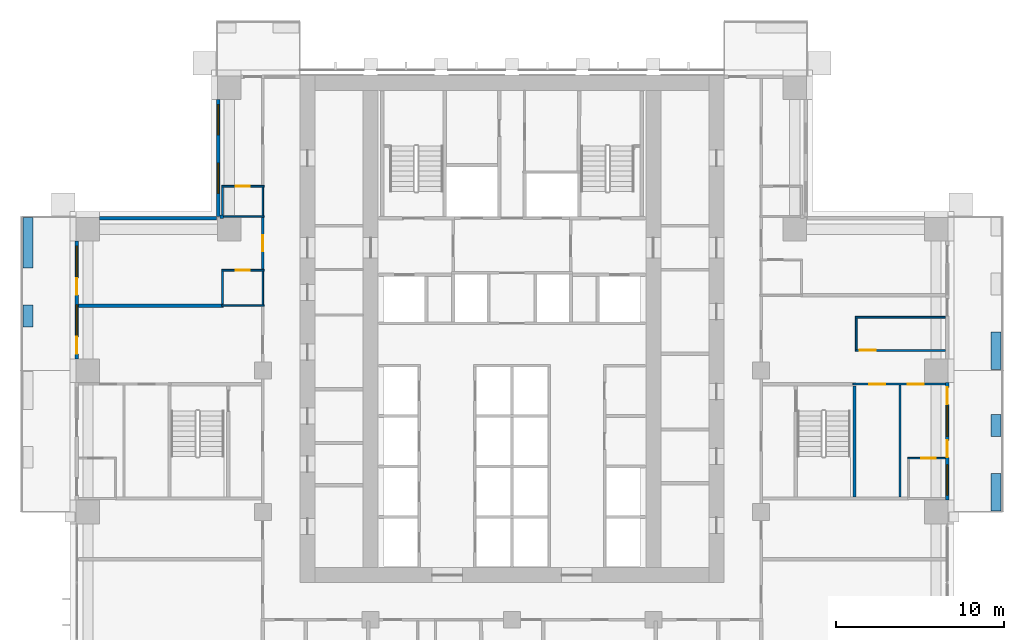
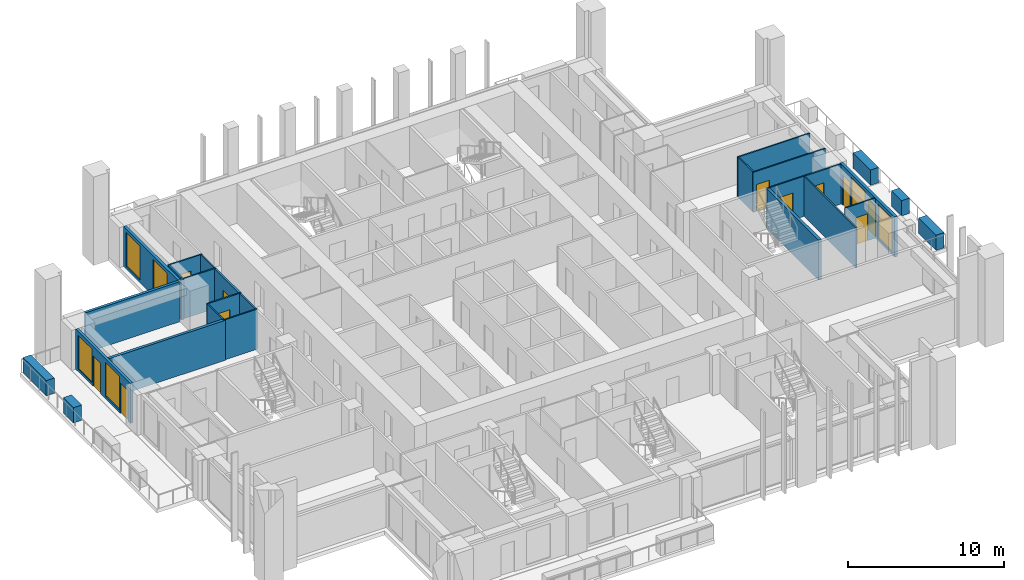
# One storey, part 10 of 18: 27 walls, 11 doors, 6 windows, 17 openings.
"""IFC4 building model written with IfcOpenShell, lengths in metres."""

from ifc_helpers import new_model, si_unit, direction, frame, frame_2d, origin, place, context, subcontext, project, spatial, rectangle, extrude, material, layer, layer_set, type_object, element, fill, save


model = new_model("IFC4")

# Units and contexts
model_context = context("Model", 3, precision=1e-05, world=origin(), true_north=direction((0.0, 1.0)))
body_context = subcontext(model_context, "Body", "Model", "MODEL_VIEW")
ifc_project = project(units=[si_unit("LENGTHUNIT", "METRE"), si_unit("AREAUNIT", "SQUARE_METRE"), si_unit("VOLUMEUNIT", "CUBIC_METRE"), si_unit("PLANEANGLEUNIT", "RADIAN"), si_unit("MASSUNIT", "GRAM", prefix="KILO")], contexts=[model_context])

# Site, building, storey
site_placement = place(None, origin())
site = spatial("IfcSite", under=ifc_project, at=site_placement, CompositionType="ELEMENT")
building_placement = place(site_placement, origin())
building = spatial("IfcBuilding", under=site, at=building_placement, Name="Vermilion Ogive Tower", CompositionType="ELEMENT")
storey_placement = place(building_placement, frame((0.0, 0.0, 55.199951171875)))
storey = spatial("IfcBuildingStorey", under=building, at=storey_placement, Name="L12", CompositionType="ELEMENT", Elevation=55.199951171875)

# Wall, opening, door
ifc_material_1 = material(Name="Gypsum board partition on steel studs", Category="steel")
ifc_layer_1 = layer(ifc_material_1, 0.10009765625)
ifc_layer_set_1 = layer_set([ifc_layer_1], Name="Partition 100 bath")
wall_type_1 = type_object("IfcWallType", Name="Partition 100 bath", PredefinedType="PARTITIONING", material=ifc_layer_set_1)
wall_1_placement = place(storey_placement, frame((23.5, -1.0, 0.0), z_axis=(0.0, 0.0, 1.0), x_axis=(1.0, 0.0, 0.0)))
wall_1 = element("IfcWall", 1, at=wall_1_placement, inside=storey, type_object=wall_type_1, Name="L12-W-W022", PredefinedType="PARTITIONING", context=body_context, shape_type="SweptSolid", body=[
    extrude(rectangle(XDim=2.25, YDim=0.10009765625, at=frame_2d((1.125, 0.0))), origin(), (0.0, 0.0, 1.0), 3.130126953125),
])
opening_1_placement = place(wall_1_placement, frame((0.824951171875, 0.0, 0.0)))
opening_1 = element("IfcOpeningElement", 2, at=opening_1_placement, cuts=wall_1, Name="Opening D1G4023", PredefinedType="OPENING", context=body_context, shape_type="SweptSolid", body=[
    extrude(rectangle(XDim=0.85009765625, YDim=2.10009765625, at=frame_2d((0.425048828125, 1.050048828125))), frame((0.0, 0.06005859375, 0.0), z_axis=(0.0, -1.0, 0.0), x_axis=(1.0, 0.0, 0.0)), (0.0, 0.0, 1.0), 0.1201171875),
])
ifc_material_2 = material(Name="Timber door leaf", Category="wood")
door_type_1 = type_object("IfcDoorType", Name="Bath door 850 x 2100 FD30", OperationType="SINGLE_SWING_LEFT", PredefinedType="DOOR", material=ifc_material_2)
door_1_placement = place(opening_1_placement, origin())
door_1 = element("IfcDoor", 3, at=door_1_placement, inside=storey, type_object=door_type_1, Name="L12-D-D023", OperationType="SINGLE_SWING_RIGHT", OverallHeight=2.10009765625, OverallWidth=0.85009765625, PredefinedType="DOOR", context=body_context, shape_type="SweptSolid", body=[
    extrude(rectangle(XDim=0.85009765625, YDim=2.10009765625, at=frame_2d((0.425048828125, 1.050048828125))), frame((0.0, 0.02490234375, 0.0), z_axis=(0.0, -1.0, 0.0), x_axis=(1.0, 0.0, 0.0)), (0.0, 0.0, 1.0), 0.050048828125),
])
fill(opening_1, door_1)

# Wall
wall_2_placement = place(storey_placement, frame((-17.25, 8.06005859375, 0.0), z_axis=(0.0, 0.0, 1.0), x_axis=(1.0, 0.0, 0.0)))
element("IfcWall", 4, at=wall_2_placement, inside=storey, type_object=wall_type_1, Name="L12-W-W030", PredefinedType="PARTITIONING", context=body_context, shape_type="SweptSolid", body=[
    extrude(rectangle(XDim=2.52490234375, YDim=0.10009765625, at=frame_2d((1.262451171875, 0.0))), origin(), (0.0, 0.0, 1.0), 3.130126953125),
])

# Wall, opening, door
wall_3_placement = place(storey_placement, frame((-17.25, 10.159912109375, 0.0), z_axis=(0.0, 0.0, 1.0), x_axis=(1.0, 0.0, 0.0)))
wall_3 = element("IfcWall", 5, at=wall_3_placement, inside=storey, type_object=wall_type_1, Name="L12-W-W033", PredefinedType="PARTITIONING", context=body_context, shape_type="SweptSolid", body=[
    extrude(rectangle(XDim=2.52490234375, YDim=0.10009765625, at=frame_2d((1.262451171875, 0.0))), origin(), (0.0, 0.0, 1.0), 3.130126953125),
])
opening_2_placement = place(wall_3_placement, frame((0.824951171875, 0.0, 0.0)))
opening_2 = element("IfcOpeningElement", 6, at=opening_2_placement, cuts=wall_3, Name="Opening D1G4009", PredefinedType="OPENING", context=body_context, shape_type="SweptSolid", body=[
    extrude(rectangle(XDim=0.85009765625, YDim=2.10009765625, at=frame_2d((0.425048828125, 1.050048828125))), frame((0.0, 0.06005859375, 0.0), z_axis=(0.0, -1.0, 0.0), x_axis=(1.0, 0.0, 0.0)), (0.0, 0.0, 1.0), 0.1201171875),
])
door_2_placement = place(opening_2_placement, origin())
door_2 = element("IfcDoor", 7, at=door_2_placement, inside=storey, type_object=door_type_1, Name="L12-D-D009", OperationType="SINGLE_SWING_RIGHT", OverallHeight=2.10009765625, OverallWidth=0.85009765625, PredefinedType="DOOR", context=body_context, shape_type="SweptSolid", body=[
    extrude(rectangle(XDim=0.85009765625, YDim=2.10009765625, at=frame_2d((0.425048828125, 1.050048828125))), frame((0.0, 0.02490234375, 0.0), z_axis=(0.0, -1.0, 0.0), x_axis=(1.0, 0.0, 0.0)), (0.0, 0.0, 1.0), 0.050048828125),
])
fill(opening_2, door_2)

# Wall
wall_4_placement = place(storey_placement, frame((-17.25, 13.35009765625, 0.0), z_axis=(0.0, 0.0, 1.0), x_axis=(1.0, 0.0, 0.0)))
element("IfcWall", 8, at=wall_4_placement, inside=storey, type_object=wall_type_1, Name="L12-W-W036", PredefinedType="PARTITIONING", context=body_context, shape_type="SweptSolid", body=[
    extrude(rectangle(XDim=2.52490234375, YDim=0.10009765625, at=frame_2d((1.262451171875, 0.0))), origin(), (0.0, 0.0, 1.0), 3.130126953125),
])

# Wall, opening, door
wall_5_placement = place(storey_placement, frame((-17.25, 15.14990234375, 0.0), z_axis=(0.0, 0.0, 1.0), x_axis=(1.0, 0.0, 0.0)))
wall_5 = element("IfcWall", 9, at=wall_5_placement, inside=storey, type_object=wall_type_1, Name="L12-W-W039", PredefinedType="PARTITIONING", context=body_context, shape_type="SweptSolid", body=[
    extrude(rectangle(XDim=2.52490234375, YDim=0.10009765625, at=frame_2d((1.262451171875, 0.0))), origin(), (0.0, 0.0, 1.0), 3.130126953125),
])
opening_3_placement = place(wall_5_placement, frame((0.824951171875, 0.0, 0.0)))
opening_3 = element("IfcOpeningElement", 10, at=opening_3_placement, cuts=wall_5, Name="Opening D1G4011", PredefinedType="OPENING", context=body_context, shape_type="SweptSolid", body=[
    extrude(rectangle(XDim=0.85009765625, YDim=2.10009765625, at=frame_2d((0.425048828125, 1.050048828125))), frame((0.0, 0.06005859375, 0.0), z_axis=(0.0, -1.0, 0.0), x_axis=(1.0, 0.0, 0.0)), (0.0, 0.0, 1.0), 0.1201171875),
])
door_3_placement = place(opening_3_placement, origin())
door_3 = element("IfcDoor", 11, at=door_3_placement, inside=storey, type_object=door_type_1, Name="L12-D-D011", OperationType="SINGLE_SWING_RIGHT", OverallHeight=2.10009765625, OverallWidth=0.85009765625, PredefinedType="DOOR", context=body_context, shape_type="SweptSolid", body=[
    extrude(rectangle(XDim=0.85009765625, YDim=2.10009765625, at=frame_2d((0.425048828125, 1.050048828125))), frame((0.0, 0.02490234375, 0.0), z_axis=(0.0, -1.0, 0.0), x_axis=(1.0, 0.0, 0.0)), (0.0, 0.0, 1.0), 0.050048828125),
])
fill(opening_3, door_3)

# Walls
wall_6_placement = place(storey_placement, frame((-17.199951171875, 8.159912109375, 0.0), z_axis=(0.0, 0.0, 1.0), x_axis=(0.0, 1.0, 0.0)))
element("IfcWall", 12, at=wall_6_placement, inside=storey, type_object=wall_type_1, Name="L12-W-W044", PredefinedType="PARTITIONING", context=body_context, shape_type="SweptSolid", body=[
    extrude(rectangle(XDim=1.9501953125, YDim=0.10009765625, at=frame_2d((0.97509765625, 0.0))), origin(), (0.0, 0.0, 1.0), 3.130126953125),
])
wall_7_placement = place(storey_placement, frame((-17.199951171875, 13.449951171875, 0.0), z_axis=(0.0, 0.0, 1.0), x_axis=(0.0, 1.0, 0.0)))
element("IfcWall", 13, at=wall_7_placement, inside=storey, type_object=wall_type_1, Name="L12-W-W045", PredefinedType="PARTITIONING", context=body_context, shape_type="SweptSolid", body=[
    extrude(rectangle(XDim=1.650146484375, YDim=0.10009765625, at=frame_2d((0.8251953125, 0.0))), origin(), (0.0, 0.0, 1.0), 3.130126953125),
])
wall_8_placement = place(storey_placement, frame((-14.800048828125, 8.110107421875, 0.0), z_axis=(0.0, 0.0, 1.0), x_axis=(0.0, 1.0, 0.0)))
element("IfcWall", 14, at=wall_8_placement, inside=storey, type_object=wall_type_1, Name="L12-W-W050", PredefinedType="PARTITIONING", context=body_context, shape_type="SweptSolid", body=[
    extrude(rectangle(XDim=2.0, YDim=0.10009765625, at=frame_2d((1.0, 0.0))), origin(), (0.0, 0.0, 1.0), 3.130126953125),
])
wall_9_placement = place(storey_placement, frame((-14.800048828125, 13.39990234375, 0.0), z_axis=(0.0, 0.0, 1.0), x_axis=(0.0, 1.0, 0.0)))
element("IfcWall", 15, at=wall_9_placement, inside=storey, type_object=wall_type_1, Name="L12-W-W052", PredefinedType="PARTITIONING", context=body_context, shape_type="SweptSolid", body=[
    extrude(rectangle(XDim=1.7001953125, YDim=0.10009765625, at=frame_2d((0.85009765625, 0.0))), origin(), (0.0, 0.0, 1.0), 3.130126953125),
])

# Wall, openings, doors
ifc_material_3 = material(Name="Gypsum board partition on steel studs", Category="steel")
ifc_layer_2 = layer(ifc_material_3, 0.10009765625)
ifc_layer_set_2 = layer_set([ifc_layer_2], Name="Partition 100 inner")
wall_type_2 = type_object("IfcWallType", Name="Partition 100 inner", PredefinedType="PARTITIONING", material=ifc_layer_set_2)
wall_10_placement = place(storey_placement, frame((20.25, 3.39990234375, 0.0), z_axis=(0.0, 0.0, 1.0), x_axis=(1.0, 0.0, 0.0)))
wall_10 = element("IfcWall", 16, at=wall_10_placement, inside=storey, type_object=wall_type_2, Name="L12-W-W026", PredefinedType="PARTITIONING", context=body_context, shape_type="SweptSolid", body=[
    extrude(rectangle(XDim=5.5, YDim=0.10009765625, at=frame_2d((2.75, 0.0))), origin(), (0.0, 0.0, 1.0), 3.130126953125),
])
opening_4_placement = place(wall_10_placement, frame((3.27490234375, 0.0, 0.0)))
opening_4 = element("IfcOpeningElement", 17, at=opening_4_placement, cuts=wall_10, Name="Opening D1G4019", PredefinedType="OPENING", context=body_context, shape_type="SweptSolid", body=[
    extrude(rectangle(XDim=0.949951171875, YDim=2.10009765625, at=frame_2d((0.47509765625, 1.050048828125))), frame((0.0, 0.06005859375, 0.0), z_axis=(0.0, -1.0, 0.0), x_axis=(1.0, 0.0, 0.0)), (0.0, 0.0, 1.0), 0.1201171875),
])
opening_5_placement = place(wall_10_placement, frame((0.97509765625, 0.0, 0.0)))
opening_5 = element("IfcOpeningElement", 18, at=opening_5_placement, cuts=wall_10, Name="Opening D1G4022", PredefinedType="OPENING", context=body_context, shape_type="SweptSolid", body=[
    extrude(rectangle(XDim=0.949951171875, YDim=2.10009765625, at=frame_2d((0.47509765625, 1.050048828125))), frame((0.0, 0.06005859375, 0.0), z_axis=(0.0, -1.0, 0.0), x_axis=(1.0, 0.0, 0.0)), (0.0, 0.0, 1.0), 0.1201171875),
])
ifc_material_4 = material(Name="Timber door leaf", Category="wood")
door_type_2 = type_object("IfcDoorType", Name="Inner door 950 x 2100 FD30", OperationType="SINGLE_SWING_LEFT", PredefinedType="DOOR", material=ifc_material_4)
door_4_placement = place(opening_4_placement, origin())
door_4 = element("IfcDoor", 19, at=door_4_placement, inside=storey, type_object=door_type_2, Name="L12-D-D019", OperationType="SINGLE_SWING_RIGHT", OverallHeight=2.10009765625, OverallWidth=0.949951171875, PredefinedType="DOOR", context=body_context, shape_type="SweptSolid", body=[
    extrude(rectangle(XDim=0.949951171875, YDim=2.10009765625, at=frame_2d((0.47509765625, 1.050048828125))), frame((0.0, 0.02490234375, 0.0), z_axis=(0.0, -1.0, 0.0), x_axis=(1.0, 0.0, 0.0)), (0.0, 0.0, 1.0), 0.050048828125),
])
fill(opening_4, door_4)
door_5_placement = place(opening_5_placement, origin())
door_5 = element("IfcDoor", 20, at=door_5_placement, inside=storey, type_object=door_type_2, Name="L12-D-D022", OperationType="SINGLE_SWING_RIGHT", OverallHeight=2.10009765625, OverallWidth=0.949951171875, PredefinedType="DOOR", context=body_context, shape_type="SweptSolid", body=[
    extrude(rectangle(XDim=0.949951171875, YDim=2.10009765625, at=frame_2d((0.47509765625, 1.050048828125))), frame((0.0, 0.02490234375, 0.0), z_axis=(0.0, -1.0, 0.0), x_axis=(1.0, 0.0, 0.0)), (0.0, 0.0, 1.0), 0.050048828125),
])
fill(opening_5, door_5)

# Wall, opening, door
wall_11_placement = place(storey_placement, frame((20.39990234375, 5.39990234375, 0.0), z_axis=(0.0, 0.0, 1.0), x_axis=(1.0, 0.0, 0.0)))
wall_11 = element("IfcWall", 21, at=wall_11_placement, inside=storey, type_object=wall_type_2, Name="L12-W-W027", PredefinedType="PARTITIONING", context=body_context, shape_type="SweptSolid", body=[
    extrude(rectangle(XDim=5.35009765625, YDim=0.10009765625, at=frame_2d((2.675048828125, 0.0))), origin(), (0.0, 0.0, 1.0), 3.130126953125),
])
opening_6_placement = place(wall_11_placement, frame((0.25, 0.0, 0.0)))
opening_6 = element("IfcOpeningElement", 22, at=opening_6_placement, cuts=wall_11, Name="Opening D1G4020", PredefinedType="OPENING", context=body_context, shape_type="SweptSolid", body=[
    extrude(rectangle(XDim=0.949951171875, YDim=2.10009765625, at=frame_2d((0.47509765625, 1.050048828125))), frame((0.0, 0.06005859375, 0.0), z_axis=(0.0, -1.0, 0.0), x_axis=(1.0, 0.0, 0.0)), (0.0, 0.0, 1.0), 0.1201171875),
])
door_6_placement = place(opening_6_placement, origin())
door_6 = element("IfcDoor", 23, at=door_6_placement, inside=storey, type_object=door_type_2, Name="L12-D-D020", OperationType="SINGLE_SWING_LEFT", OverallHeight=2.10009765625, OverallWidth=0.949951171875, PredefinedType="DOOR", context=body_context, shape_type="SweptSolid", body=[
    extrude(rectangle(XDim=0.949951171875, YDim=2.10009765625, at=frame_2d((0.47509765625, 1.050048828125))), frame((0.0, 0.02490234375, 0.0), z_axis=(0.0, -1.0, 0.0), x_axis=(1.0, 0.0, 0.0)), (0.0, 0.0, 1.0), 0.050048828125),
])
fill(opening_6, door_6)

# Walls
wall_12_placement = place(storey_placement, frame((20.39990234375, 7.367919921875, 0.0), z_axis=(0.0, 0.0, 1.0), x_axis=(1.0, 0.0, 0.0)))
element("IfcWall", 24, at=wall_12_placement, inside=storey, type_object=wall_type_2, Name="L12-W-W028", PredefinedType="PARTITIONING", context=body_context, shape_type="SweptSolid", body=[
    extrude(rectangle(XDim=5.35009765625, YDim=0.10009765625, at=frame_2d((2.675048828125, 0.0))), origin(), (0.0, 0.0, 1.0), 3.130126953125),
])
wall_13_placement = place(storey_placement, frame((20.449951171875, 5.449951171875, 0.0), z_axis=(0.0, 0.0, 1.0), x_axis=(0.0, 1.0, 0.0)))
element("IfcWall", 25, at=wall_13_placement, inside=storey, type_object=wall_type_2, Name="L12-W-W080", PredefinedType="PARTITIONING", context=body_context, shape_type="SweptSolid", body=[
    extrude(rectangle(XDim=1.8681640625, YDim=0.10009765625, at=frame_2d((0.93408203125, 0.0))), origin(), (0.0, 0.0, 1.0), 3.130126953125),
])
wall_14_placement = place(storey_placement, frame((23.050048828125, -3.300048828125, 0.0), z_axis=(0.0, 0.0, 1.0), x_axis=(0.0, 1.0, 0.0)))
element("IfcWall", 26, at=wall_14_placement, inside=storey, type_object=wall_type_2, Name="L12-W-W081", PredefinedType="PARTITIONING", context=body_context, shape_type="SweptSolid", body=[
    extrude(rectangle(XDim=6.650146484375, YDim=0.10009765625, at=frame_2d((3.3251953125, 0.0))), origin(), (0.0, 0.0, 1.0), 3.130126953125),
])

# Wall, opening, door
ifc_material_5 = material(Name="Gypsum board partition on steel studs", Category="steel")
ifc_layer_3 = layer(ifc_material_5, 0.14990234375)
ifc_layer_set_3 = layer_set([ifc_layer_3], Name="Partition 150 corridor")
wall_type_3 = type_object("IfcWallType", Name="Partition 150 corridor", PredefinedType="PARTITIONING", material=ifc_layer_set_3)
wall_15_placement = place(storey_placement, frame((-14.800048828125, 10.2099609375, 0.0), z_axis=(0.0, 0.0, 1.0), x_axis=(0.0, 1.0, 0.0)))
wall_15 = element("IfcWall", 27, at=wall_15_placement, inside=storey, type_object=wall_type_3, Name="L12-W-W051", PredefinedType="PARTITIONING", context=body_context, shape_type="SweptSolid", body=[
    extrude(rectangle(XDim=3.090087890625, YDim=0.14990234375, at=frame_2d((1.544921875, 0.0))), origin(), (0.0, 0.0, 1.0), 3.130126953125),
])
opening_7_placement = place(wall_15_placement, frame((1.070068359375, 0.0, 0.0)))
opening_7 = element("IfcOpeningElement", 28, at=opening_7_placement, cuts=wall_15, Name="Opening D1G4008", PredefinedType="OPENING", context=body_context, shape_type="SweptSolid", body=[
    extrude(rectangle(XDim=0.949951171875, YDim=2.10009765625, at=frame_2d((0.47509765625, 1.050048828125))), frame((0.0, 0.0849609375, 0.0), z_axis=(0.0, -1.0, 0.0), x_axis=(1.0, 0.0, 0.0)), (0.0, 0.0, 1.0), 0.169921875),
])
ifc_material_6 = material(Name="Timber door leaf", Category="wood")
door_type_3 = type_object("IfcDoorType", Name="Unit door 950 x 2100 FD30S", OperationType="SINGLE_SWING_LEFT", PredefinedType="DOOR", material=ifc_material_6)
door_7_placement = place(opening_7_placement, origin())
door_7 = element("IfcDoor", 29, at=door_7_placement, inside=storey, type_object=door_type_3, Name="L12-D-D008", OperationType="SINGLE_SWING_LEFT", OverallHeight=2.10009765625, OverallWidth=0.949951171875, PredefinedType="DOOR", context=body_context, shape_type="SweptSolid", body=[
    extrude(rectangle(XDim=0.949951171875, YDim=2.10009765625, at=frame_2d((0.47509765625, 1.050048828125))), frame((0.0, 0.02490234375, 0.0), z_axis=(0.0, -1.0, 0.0), x_axis=(1.0, 0.0, 0.0)), (0.0, 0.0, 1.0), 0.050048828125),
])
fill(opening_7, door_7)

# Walls
ifc_material_7 = material(Name="Gypsum board partition on steel studs", Category="steel")
ifc_layer_4 = layer(ifc_material_7, 0.199951171875)
ifc_layer_set_4 = layer_set([ifc_layer_4], Name="Partition 200 party")
wall_type_4 = type_object("IfcWallType", Name="Partition 200 party", PredefinedType="PARTITIONING", material=ifc_layer_set_4)
wall_16_placement = place(storey_placement, frame((-25.75, 8.06005859375, 0.0), z_axis=(0.0, 0.0, 1.0), x_axis=(1.0, 0.0, 0.0)))
element("IfcWall", 30, at=wall_16_placement, inside=storey, type_object=wall_type_4, Name="L12-W-W029", PredefinedType="PARTITIONING", context=body_context, shape_type="SweptSolid", body=[
    extrude(rectangle(XDim=8.60009765625, YDim=0.199951171875, at=frame_2d((4.300048828125, 0.0))), origin(), (0.0, 0.0, 1.0), 3.130126953125),
])
wall_17_placement = place(storey_placement, frame((-17.35009765625, 13.35009765625, 0.0), z_axis=(0.0, 0.0, 1.0), x_axis=(1.0, 0.0, 0.0)))
element("IfcWall", 31, at=wall_17_placement, inside=storey, type_object=wall_type_4, Name="L12-W-W035", PredefinedType="PARTITIONING", context=body_context, shape_type="SweptSolid", body=[
    extrude(rectangle(XDim=0.2001953125, YDim=0.199951171875, at=frame_2d((0.10009765625, 0.0))), origin(), (0.0, 0.0, 1.0), 3.130126953125),
])
ifc_material_8 = material(Name="Concrete B60", Category="concrete")
ifc_layer_5 = layer(ifc_material_8, 0.199951171875)
ifc_layer_set_5 = layer_set([ifc_layer_5], Name="Stair shaft wall 200 Concrete B60")
wall_type_5 = type_object("IfcWallType", Name="Stair shaft wall 200 Concrete B60", PredefinedType="SOLIDWALL", material=ifc_layer_set_5)
wall_18_placement = place(storey_placement, frame((20.35009765625, -3.300048828125, 0.0), z_axis=(0.0, 0.0, 1.0), x_axis=(0.0, 1.0, 0.0)))
element("IfcWall", 32, at=wall_18_placement, inside=storey, type_object=wall_type_5, Name="L12-W-W079-A", PredefinedType="SOLIDWALL", context=body_context, shape_type="SweptSolid", body=[
    extrude(rectangle(XDim=6.60009765625, YDim=0.199951171875, at=frame_2d((3.300048828125, 0.0))), origin(), (0.0, 0.0, 1.0), 3.130126953125),
])
ifc_material_9 = material(Name="Concrete B40", Category="concrete")
ifc_layer_6 = layer(ifc_material_9, 0.60009765625)
ifc_layer_set_6 = layer_set([ifc_layer_6], Name="Structural planter")
wall_type_6 = type_object("IfcWallType", Name="Structural planter", PredefinedType="USERDEFINED", material=ifc_layer_set_6)
wall_19_placement = place(storey_placement, frame((28.75, -4.139892578125, -0.0400390625), z_axis=(0.0, 0.0, 1.0), x_axis=(0.0, 1.0, 0.0)))
element("IfcWall", 33, at=wall_19_placement, inside=storey, type_object=wall_type_6, Name="Planter E02A1", ObjectType="PLANTER", PredefinedType="USERDEFINED", context=body_context, shape_type="SweptSolid", body=[
    extrude(rectangle(XDim=2.239990234375, YDim=0.60009765625, at=frame_2d((1.1201171875, 0.0))), origin(), (0.0, 0.0, 1.0), 1.2001953125),
])
wall_20_placement = place(storey_placement, frame((28.75, 0.300048828125, -0.0400390625), z_axis=(0.0, 0.0, 1.0), x_axis=(0.0, 1.0, 0.0)))
element("IfcWall", 34, at=wall_20_placement, inside=storey, type_object=wall_type_6, Name="Planter E02A2", ObjectType="PLANTER", PredefinedType="USERDEFINED", context=body_context, shape_type="SweptSolid", body=[
    extrude(rectangle(XDim=1.300048828125, YDim=0.60009765625, at=frame_2d((0.64990234375, 0.0))), origin(), (0.0, 0.0, 1.0), 1.2001953125),
])
wall_21_placement = place(storey_placement, frame((28.75, 4.260009765625, -0.0400390625), z_axis=(0.0, 0.0, 1.0), x_axis=(0.0, 1.0, 0.0)))
element("IfcWall", 35, at=wall_21_placement, inside=storey, type_object=wall_type_6, Name="Planter E03A1", ObjectType="PLANTER", PredefinedType="USERDEFINED", context=body_context, shape_type="SweptSolid", body=[
    extrude(rectangle(XDim=2.239990234375, YDim=0.60009765625, at=frame_2d((1.1201171875, 0.0))), origin(), (0.0, 0.0, 1.0), 1.2001953125),
])
wall_22_placement = place(storey_placement, frame((-28.75, 13.2900390625, -0.0400390625), z_axis=(0.0, 0.0, 1.0), x_axis=(0.0, -1.0, 0.0)))
element("IfcWall", 36, at=wall_22_placement, inside=storey, type_object=wall_type_6, Name="Planter W01A1", ObjectType="PLANTER", PredefinedType="USERDEFINED", context=body_context, shape_type="SweptSolid", body=[
    extrude(rectangle(XDim=2.989990234375, YDim=0.60009765625, at=frame_2d((1.4951171875, 0.0))), origin(), (0.0, 0.0, 1.0), 1.2001953125),
])
wall_23_placement = place(storey_placement, frame((-28.75, 8.10009765625, -0.0400390625), z_axis=(0.0, 0.0, 1.0), x_axis=(0.0, -1.0, 0.0)))
element("IfcWall", 37, at=wall_23_placement, inside=storey, type_object=wall_type_6, Name="Planter W01A2", ObjectType="PLANTER", PredefinedType="USERDEFINED", context=body_context, shape_type="SweptSolid", body=[
    extrude(rectangle(XDim=1.300048828125, YDim=0.60009765625, at=frame_2d((0.64990234375, 0.0))), origin(), (0.0, 0.0, 1.0), 1.2001953125),
])

# Wall, openings, doors, windows
ifc_material_10 = material(Name="Aluminium window wall framing", Category="aluminium")
ifc_layer_7 = layer(ifc_material_10, 0.199951171875)
ifc_layer_set_7 = layer_set([ifc_layer_7], Name="Window wall")
wall_type_7 = type_object("IfcWallType", Name="Window wall", PredefinedType="STANDARD", material=ifc_layer_set_7)
wall_24_placement = place(storey_placement, frame((25.85009765625, -3.5, 0.0), z_axis=(0.0, 0.0, 1.0), x_axis=(0.0, 1.0, 0.0)))
wall_24 = element("IfcWall", 38, at=wall_24_placement, inside=storey, type_object=wall_type_7, Name="Window wall E2", PredefinedType="STANDARD", context=body_context, shape_type="SweptSolid", body=[
    extrude(rectangle(XDim=7.0, YDim=0.199951171875, at=frame_2d((3.5, 0.0))), origin(), (0.0, 0.0, 1.0), 3.130126953125),
])
opening_8_placement = place(wall_24_placement, frame((0.300048828125, 0.0, 0.199951171875)))
opening_8 = element("IfcOpeningElement", 39, at=opening_8_placement, cuts=wall_24, Name="Opening W1-E99", PredefinedType="OPENING", context=body_context, shape_type="SweptSolid", body=[
    extrude(rectangle(XDim=1.800048828125, YDim=2.64990234375, at=frame_2d((0.89990234375, 1.324951171875))), frame((0.0, 0.10986328125, 0.0), z_axis=(0.0, -1.0, 0.0), x_axis=(1.0, 0.0, 0.0)), (0.0, 0.0, 1.0), 0.219970703125),
])
opening_9_placement = place(wall_24_placement, frame((2.550048828125, 0.0, 0.0)))
opening_9 = element("IfcOpeningElement", 40, at=opening_9_placement, cuts=wall_24, Name="Opening D1-E99", PredefinedType="OPENING", context=body_context, shape_type="SweptSolid", body=[
    extrude(rectangle(XDim=1.0, YDim=2.39990234375, at=frame_2d((0.5, 1.199951171875))), frame((0.0, 0.10986328125, 0.0), z_axis=(0.0, -1.0, 0.0), x_axis=(1.0, 0.0, 0.0)), (0.0, 0.0, 1.0), 0.219970703125),
])
opening_10_placement = place(wall_24_placement, frame((3.800048828125, 0.0, 0.199951171875)))
opening_10 = element("IfcOpeningElement", 41, at=opening_10_placement, cuts=wall_24, Name="Opening W1-E00", PredefinedType="OPENING", context=body_context, shape_type="SweptSolid", body=[
    extrude(rectangle(XDim=1.800048828125, YDim=2.64990234375, at=frame_2d((0.89990234375, 1.324951171875))), frame((0.0, 0.10986328125, 0.0), z_axis=(0.0, -1.0, 0.0), x_axis=(1.0, 0.0, 0.0)), (0.0, 0.0, 1.0), 0.219970703125),
])
opening_11_placement = place(wall_24_placement, frame((5.699951171875, 0.0, 0.0)))
opening_11 = element("IfcOpeningElement", 42, at=opening_11_placement, cuts=wall_24, Name="Opening D1-E00", PredefinedType="OPENING", context=body_context, shape_type="SweptSolid", body=[
    extrude(rectangle(XDim=1.0, YDim=2.39990234375, at=frame_2d((0.5, 1.199951171875))), frame((0.0, 0.10986328125, 0.0), z_axis=(0.0, -1.0, 0.0), x_axis=(1.0, 0.0, 0.0)), (0.0, 0.0, 1.0), 0.219970703125),
])
ifc_material_11 = material(Name="Aluminium framed glazed door", Category="aluminium")
door_type_4 = type_object("IfcDoorType", Name="Balcony door D1", OperationType="SINGLE_SWING_LEFT", PredefinedType="DOOR", material=ifc_material_11)
door_8_placement = place(opening_9_placement, origin())
door_8 = element("IfcDoor", 43, at=door_8_placement, inside=storey, type_object=door_type_4, Name="Balcony door E99", OperationType="SINGLE_SWING_LEFT", OverallHeight=2.39990234375, OverallWidth=1.0, PredefinedType="DOOR", context=body_context, shape_type="SweptSolid", body=[
    extrude(rectangle(XDim=1.0, YDim=2.39990234375, at=frame_2d((0.5, 1.199951171875))), frame((0.0, 0.02490234375, 0.0), z_axis=(0.0, -1.0, 0.0), x_axis=(1.0, 0.0, 0.0)), (0.0, 0.0, 1.0), 0.050048828125),
])
fill(opening_9, door_8)
door_9_placement = place(opening_11_placement, origin())
door_9 = element("IfcDoor", 44, at=door_9_placement, inside=storey, type_object=door_type_4, Name="Balcony door E00", OperationType="SINGLE_SWING_LEFT", OverallHeight=2.39990234375, OverallWidth=1.0, PredefinedType="DOOR", context=body_context, shape_type="SweptSolid", body=[
    extrude(rectangle(XDim=1.0, YDim=2.39990234375, at=frame_2d((0.5, 1.199951171875))), frame((0.0, 0.02490234375, 0.0), z_axis=(0.0, -1.0, 0.0), x_axis=(1.0, 0.0, 0.0)), (0.0, 0.0, 1.0), 0.050048828125),
])
fill(opening_11, door_9)
ifc_material_12 = material(Name="Aluminium framed double glazing", Category="aluminium")
window_type = type_object("IfcWindowType", Name="Guest window W1", PartitioningType="SINGLE_PANEL", PredefinedType="WINDOW", material=ifc_material_12)
window_1_placement = place(opening_8_placement, origin())
window_1 = element("IfcWindow", 45, at=window_1_placement, inside=storey, type_object=window_type, Name="Window E99", OverallHeight=2.64990234375, OverallWidth=1.800048828125, PartitioningType="SINGLE_PANEL", PredefinedType="WINDOW", context=body_context, shape_type="SweptSolid", body=[
    extrude(rectangle(XDim=1.800048828125, YDim=2.64990234375, at=frame_2d((0.89990234375, 1.324951171875))), frame((0.0, 0.030029296875, 0.0), z_axis=(0.0, -1.0, 0.0), x_axis=(1.0, 0.0, 0.0)), (0.0, 0.0, 1.0), 0.06005859375),
])
fill(opening_8, window_1)
window_2_placement = place(opening_10_placement, origin())
window_2 = element("IfcWindow", 46, at=window_2_placement, inside=storey, type_object=window_type, Name="Window E00", OverallHeight=2.64990234375, OverallWidth=1.800048828125, PartitioningType="SINGLE_PANEL", PredefinedType="WINDOW", context=body_context, shape_type="SweptSolid", body=[
    extrude(rectangle(XDim=1.800048828125, YDim=2.64990234375, at=frame_2d((0.89990234375, 1.324951171875))), frame((0.0, 0.030029296875, 0.0), z_axis=(0.0, -1.0, 0.0), x_axis=(1.0, 0.0, 0.0)), (0.0, 0.0, 1.0), 0.06005859375),
])
fill(opening_10, window_2)

# Wall, openings, windows
wall_25_placement = place(storey_placement, frame((-17.449951171875, 20.300048828125, 0.0), z_axis=(0.0, 0.0, 1.0), x_axis=(0.0, -1.0, 0.0)))
wall_25 = element("IfcWall", 47, at=wall_25_placement, inside=storey, type_object=wall_type_7, Name="Window wall X51", PredefinedType="STANDARD", context=body_context, shape_type="SweptSolid", body=[
    extrude(rectangle(XDim=6.949951171875, YDim=0.199951171875, at=frame_2d((3.47509765625, 0.0))), origin(), (0.0, 0.0, 1.0), 3.130126953125),
])
opening_12_placement = place(wall_25_placement, frame((3.77490234375, 0.0, 0.199951171875)))
opening_12 = element("IfcOpeningElement", 48, at=opening_12_placement, cuts=wall_25, Name="Opening W1-X503", PredefinedType="OPENING", context=body_context, shape_type="SweptSolid", body=[
    extrude(rectangle(XDim=1.800048828125, YDim=2.64990234375, at=frame_2d((0.89990234375, 1.324951171875))), frame((0.0, 0.10986328125, 0.0), z_axis=(0.0, -1.0, 0.0), x_axis=(1.0, 0.0, 0.0)), (0.0, 0.0, 1.0), 0.219970703125),
])
opening_13_placement = place(wall_25_placement, frame((0.300048828125, 0.0, 0.199951171875)))
opening_13 = element("IfcOpeningElement", 49, at=opening_13_placement, cuts=wall_25, Name="Opening W1-X504", PredefinedType="OPENING", context=body_context, shape_type="SweptSolid", body=[
    extrude(rectangle(XDim=1.800048828125, YDim=2.64990234375, at=frame_2d((0.89990234375, 1.324951171875))), frame((0.0, 0.10986328125, 0.0), z_axis=(0.0, -1.0, 0.0), x_axis=(1.0, 0.0, 0.0)), (0.0, 0.0, 1.0), 0.219970703125),
])
window_3_placement = place(opening_12_placement, origin())
window_3 = element("IfcWindow", 50, at=window_3_placement, inside=storey, type_object=window_type, Name="Window X503", OverallHeight=2.64990234375, OverallWidth=1.800048828125, PartitioningType="SINGLE_PANEL", PredefinedType="WINDOW", context=body_context, shape_type="SweptSolid", body=[
    extrude(rectangle(XDim=1.800048828125, YDim=2.64990234375, at=frame_2d((0.89990234375, 1.324951171875))), frame((0.0, 0.030029296875, 0.0), z_axis=(0.0, -1.0, 0.0), x_axis=(1.0, 0.0, 0.0)), (0.0, 0.0, 1.0), 0.06005859375),
])
fill(opening_12, window_3)
window_4_placement = place(opening_13_placement, origin())
window_4 = element("IfcWindow", 51, at=window_4_placement, inside=storey, type_object=window_type, Name="Window X504", OverallHeight=2.64990234375, OverallWidth=1.800048828125, PartitioningType="SINGLE_PANEL", PredefinedType="WINDOW", context=body_context, shape_type="SweptSolid", body=[
    extrude(rectangle(XDim=1.800048828125, YDim=2.64990234375, at=frame_2d((0.89990234375, 1.324951171875))), frame((0.0, 0.030029296875, 0.0), z_axis=(0.0, -1.0, 0.0), x_axis=(1.0, 0.0, 0.0)), (0.0, 0.0, 1.0), 0.06005859375),
])
fill(opening_13, window_4)

# Wall
wall_26_placement = place(storey_placement, frame((-17.550048828125, 13.25, 0.0), z_axis=(0.0, 0.0, 1.0), x_axis=(-1.0, 0.0, 0.0)))
element("IfcWall", 52, at=wall_26_placement, inside=storey, type_object=wall_type_7, Name="Window wall X61", PredefinedType="STANDARD", context=body_context, shape_type="SweptSolid", body=[
    extrude(rectangle(XDim=6.949951171875, YDim=0.199951171875, at=frame_2d((3.47509765625, 0.0))), origin(), (0.0, 0.0, 1.0), 3.130126953125),
])

# Wall, openings, doors, windows
wall_27_placement = place(storey_placement, frame((-25.85009765625, 11.89990234375, 0.0), z_axis=(0.0, 0.0, 1.0), x_axis=(0.0, -1.0, 0.0)))
wall_27 = element("IfcWall", 53, at=wall_27_placement, inside=storey, type_object=wall_type_7, Name="Window wall W1", PredefinedType="STANDARD", context=body_context, shape_type="SweptSolid", body=[
    extrude(rectangle(XDim=7.0, YDim=0.199951171875, at=frame_2d((3.5, 0.0))), origin(), (0.0, 0.0, 1.0), 3.130126953125),
])
opening_14_placement = place(wall_27_placement, frame((3.800048828125, 0.0, 0.199951171875)))
opening_14 = element("IfcOpeningElement", 54, at=opening_14_placement, cuts=wall_27, Name="Opening W1-W01", PredefinedType="OPENING", context=body_context, shape_type="SweptSolid", body=[
    extrude(rectangle(XDim=1.800048828125, YDim=2.64990234375, at=frame_2d((0.89990234375, 1.324951171875))), frame((0.0, 0.10986328125, 0.0), z_axis=(0.0, -1.0, 0.0), x_axis=(1.0, 0.0, 0.0)), (0.0, 0.0, 1.0), 0.219970703125),
])
opening_15_placement = place(wall_27_placement, frame((5.699951171875, 0.0, 0.0)))
opening_15 = element("IfcOpeningElement", 55, at=opening_15_placement, cuts=wall_27, Name="Opening D1-W01", PredefinedType="OPENING", context=body_context, shape_type="SweptSolid", body=[
    extrude(rectangle(XDim=1.0, YDim=2.39990234375, at=frame_2d((0.5, 1.199951171875))), frame((0.0, 0.10986328125, 0.0), z_axis=(0.0, -1.0, 0.0), x_axis=(1.0, 0.0, 0.0)), (0.0, 0.0, 1.0), 0.219970703125),
])
opening_16_placement = place(wall_27_placement, frame((0.300048828125, 0.0, 0.199951171875)))
opening_16 = element("IfcOpeningElement", 56, at=opening_16_placement, cuts=wall_27, Name="Opening W1-W02", PredefinedType="OPENING", context=body_context, shape_type="SweptSolid", body=[
    extrude(rectangle(XDim=1.800048828125, YDim=2.64990234375, at=frame_2d((0.89990234375, 1.324951171875))), frame((0.0, 0.10986328125, 0.0), z_axis=(0.0, -1.0, 0.0), x_axis=(1.0, 0.0, 0.0)), (0.0, 0.0, 1.0), 0.219970703125),
])
opening_17_placement = place(wall_27_placement, frame((2.199951171875, 0.0, 0.0)))
opening_17 = element("IfcOpeningElement", 57, at=opening_17_placement, cuts=wall_27, Name="Opening D1-W02", PredefinedType="OPENING", context=body_context, shape_type="SweptSolid", body=[
    extrude(rectangle(XDim=1.0, YDim=2.39990234375, at=frame_2d((0.5, 1.199951171875))), frame((0.0, 0.10986328125, 0.0), z_axis=(0.0, -1.0, 0.0), x_axis=(1.0, 0.0, 0.0)), (0.0, 0.0, 1.0), 0.219970703125),
])
door_10_placement = place(opening_15_placement, origin())
door_10 = element("IfcDoor", 58, at=door_10_placement, inside=storey, type_object=door_type_4, Name="Balcony door W01", OperationType="SINGLE_SWING_LEFT", OverallHeight=2.39990234375, OverallWidth=1.0, PredefinedType="DOOR", context=body_context, shape_type="SweptSolid", body=[
    extrude(rectangle(XDim=1.0, YDim=2.39990234375, at=frame_2d((0.5, 1.199951171875))), frame((0.0, 0.02490234375, 0.0), z_axis=(0.0, -1.0, 0.0), x_axis=(1.0, 0.0, 0.0)), (0.0, 0.0, 1.0), 0.050048828125),
])
fill(opening_15, door_10)
door_11_placement = place(opening_17_placement, origin())
door_11 = element("IfcDoor", 59, at=door_11_placement, inside=storey, type_object=door_type_4, Name="Balcony door W02", OperationType="SINGLE_SWING_LEFT", OverallHeight=2.39990234375, OverallWidth=1.0, PredefinedType="DOOR", context=body_context, shape_type="SweptSolid", body=[
    extrude(rectangle(XDim=1.0, YDim=2.39990234375, at=frame_2d((0.5, 1.199951171875))), frame((0.0, 0.02490234375, 0.0), z_axis=(0.0, -1.0, 0.0), x_axis=(1.0, 0.0, 0.0)), (0.0, 0.0, 1.0), 0.050048828125),
])
fill(opening_17, door_11)
window_5_placement = place(opening_14_placement, origin())
window_5 = element("IfcWindow", 60, at=window_5_placement, inside=storey, type_object=window_type, Name="Window W01", OverallHeight=2.64990234375, OverallWidth=1.800048828125, PartitioningType="SINGLE_PANEL", PredefinedType="WINDOW", context=body_context, shape_type="SweptSolid", body=[
    extrude(rectangle(XDim=1.800048828125, YDim=2.64990234375, at=frame_2d((0.89990234375, 1.324951171875))), frame((0.0, 0.030029296875, 0.0), z_axis=(0.0, -1.0, 0.0), x_axis=(1.0, 0.0, 0.0)), (0.0, 0.0, 1.0), 0.06005859375),
])
fill(opening_14, window_5)
window_6_placement = place(opening_16_placement, origin())
window_6 = element("IfcWindow", 61, at=window_6_placement, inside=storey, type_object=window_type, Name="Window W02", OverallHeight=2.64990234375, OverallWidth=1.800048828125, PartitioningType="SINGLE_PANEL", PredefinedType="WINDOW", context=body_context, shape_type="SweptSolid", body=[
    extrude(rectangle(XDim=1.800048828125, YDim=2.64990234375, at=frame_2d((0.89990234375, 1.324951171875))), frame((0.0, 0.030029296875, 0.0), z_axis=(0.0, -1.0, 0.0), x_axis=(1.0, 0.0, 0.0)), (0.0, 0.0, 1.0), 0.06005859375),
])
fill(opening_16, window_6)

save(model, "model.ifc")
